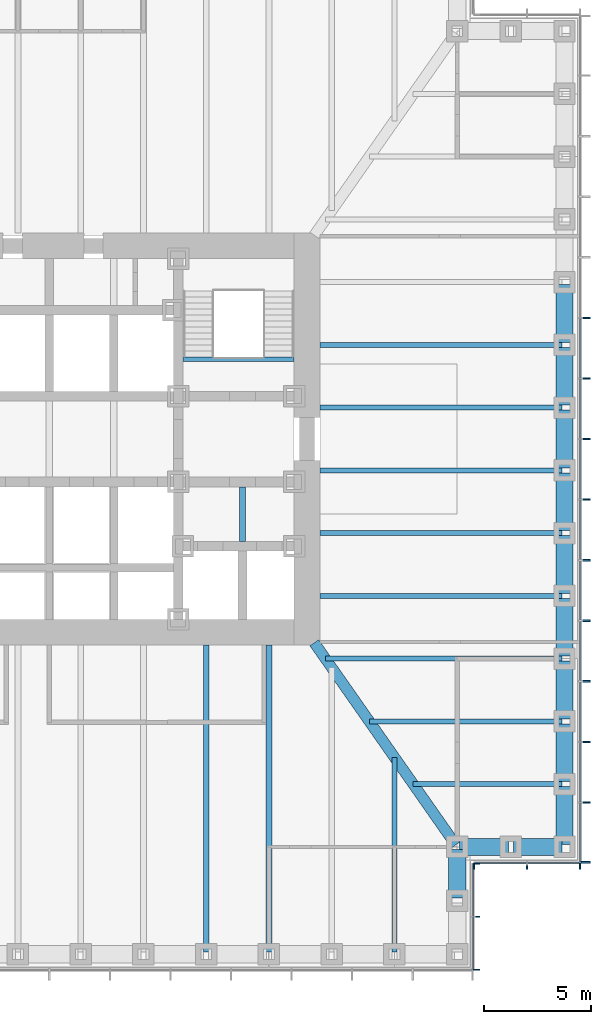
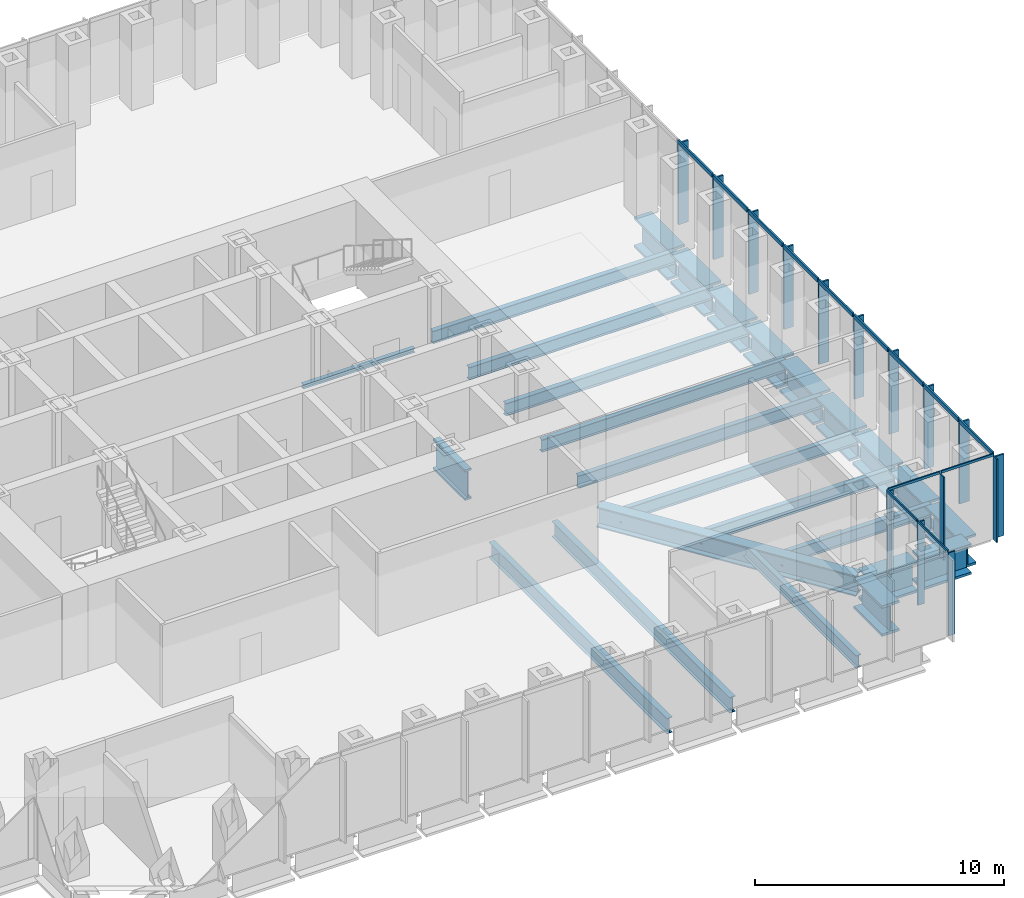
# One storey, part 4 of 16: 29 members, 26 beams, 3 elements without a shape of their own.
"""IFC4 building model written with IfcOpenShell, lengths in metres."""

from ifc_helpers import new_model, si_unit, direction, frame, origin, origin_2d, place, context, subcontext, project, spatial, rectangle, i_section, extrude, material, material_profile, profile_set, type_object, element, aggregate, save


model = new_model("IFC4")

# Units and contexts
model_context = context("Model", 3, precision=1e-05, world=origin(), true_north=direction((0.0, 1.0)))
body_context = subcontext(model_context, "Body", "Model", "MODEL_VIEW")
ifc_project = project(units=[si_unit("LENGTHUNIT", "METRE"), si_unit("AREAUNIT", "SQUARE_METRE"), si_unit("VOLUMEUNIT", "CUBIC_METRE"), si_unit("PLANEANGLEUNIT", "RADIAN"), si_unit("MASSUNIT", "GRAM", prefix="KILO")], contexts=[model_context])

# Site, building, storey
site_placement = place(None, origin())
site = spatial("IfcSite", under=ifc_project, at=site_placement, CompositionType="ELEMENT")
building_placement = place(site_placement, origin())
building = spatial("IfcBuilding", under=site, at=building_placement, Name="Daluyong Arena Tower", CompositionType="ELEMENT")
storey_placement = place(building_placement, frame((0.0, 0.0, 47.5)))
storey = spatial("IfcBuildingStorey", under=building, at=storey_placement, Name="L09", CompositionType="ELEMENT", Elevation=47.5)

# Curtain wall, members
ifc_material_1 = material(Name="Bronze anodised aluminium and glass", Category="aluminium")
curtain_wall_type_1 = type_object("IfcCurtainWallType", Name="Curtain wall CW1", PredefinedType="USERDEFINED", material=ifc_material_1)
curtain_wall_1_placement = place(storey_placement, origin())
curtain_wall_1 = element("IfcCurtainWall", 1, at=curtain_wall_1_placement, inside=storey, type_object=curtain_wall_type_1, Name="curtain wall L09 E", ObjectType="UNITISED CURTAIN WALL", PredefinedType="USERDEFINED")
ifc_material_2 = material(Name="Bronze anodised aluminium fin", Category="aluminium")
ifc_material_profile_1 = material_profile(ifc_material_2, rectangle(XDim=0.449951171875, YDim=0.080078125, at=origin_2d()))
ifc_profile_set_1 = profile_set([ifc_material_profile_1], Name="Bronze anodised aluminium fin")
member_type_1 = type_object("IfcMemberType", Name="CW1 bronze fin 450x80", PredefinedType="MULLION", material=ifc_profile_set_1)
member_1_placement = place(storey_placement, frame((80.97509765625, 60.2900390625, 0.0), z_axis=(0.0, 0.0, 1.0), x_axis=(-1.0, 0.0, 0.0)))
member_1 = element("IfcMember", 2, at=member_1_placement, type_object=member_type_1, Name="curtain wall L09 E fin 1", PredefinedType="MULLION", context=body_context, shape_type="SweptSolid", body=[
    extrude(rectangle(XDim=0.449951171875, YDim=0.080078125, at=origin_2d()), origin(), (0.0, 0.0, 1.0), 4.0),
])
member_2_placement = place(storey_placement, frame((80.97509765625, 63.071533203125, 0.0), z_axis=(0.0, 0.0, 1.0), x_axis=(-1.0, 0.0, 0.0)))
member_2 = element("IfcMember", 3, at=member_2_placement, type_object=member_type_1, Name="curtain wall L09 E fin 2", PredefinedType="MULLION", context=body_context, shape_type="SweptSolid", body=[
    extrude(rectangle(XDim=0.449951171875, YDim=0.080078125, at=origin_2d()), origin(), (0.0, 0.0, 1.0), 4.0),
])
member_3_placement = place(storey_placement, frame((80.97509765625, 65.892822265625, 0.0), z_axis=(0.0, 0.0, 1.0), x_axis=(-1.0, 0.0, 0.0)))
member_3 = element("IfcMember", 4, at=member_3_placement, type_object=member_type_1, Name="curtain wall L09 E fin 3", PredefinedType="MULLION", context=body_context, shape_type="SweptSolid", body=[
    extrude(rectangle(XDim=0.449951171875, YDim=0.080078125, at=origin_2d()), origin(), (0.0, 0.0, 1.0), 4.0),
])
member_4_placement = place(storey_placement, frame((80.97509765625, 68.71435546875, 0.0), z_axis=(0.0, 0.0, 1.0), x_axis=(-1.0, 0.0, 0.0)))
member_4 = element("IfcMember", 5, at=member_4_placement, type_object=member_type_1, Name="curtain wall L09 E fin 4", PredefinedType="MULLION", context=body_context, shape_type="SweptSolid", body=[
    extrude(rectangle(XDim=0.449951171875, YDim=0.080078125, at=origin_2d()), origin(), (0.0, 0.0, 1.0), 4.0),
])
member_5_placement = place(storey_placement, frame((80.97509765625, 71.53564453125, 0.0), z_axis=(0.0, 0.0, 1.0), x_axis=(-1.0, 0.0, 0.0)))
member_5 = element("IfcMember", 6, at=member_5_placement, type_object=member_type_1, Name="curtain wall L09 E fin 5", PredefinedType="MULLION", context=body_context, shape_type="SweptSolid", body=[
    extrude(rectangle(XDim=0.449951171875, YDim=0.080078125, at=origin_2d()), origin(), (0.0, 0.0, 1.0), 4.0),
])
member_6_placement = place(storey_placement, frame((80.97509765625, 74.357177734375, 0.0), z_axis=(0.0, 0.0, 1.0), x_axis=(-1.0, 0.0, 0.0)))
member_6 = element("IfcMember", 7, at=member_6_placement, type_object=member_type_1, Name="curtain wall L09 E fin 6", PredefinedType="MULLION", context=body_context, shape_type="SweptSolid", body=[
    extrude(rectangle(XDim=0.449951171875, YDim=0.080078125, at=origin_2d()), origin(), (0.0, 0.0, 1.0), 4.0),
])
member_7_placement = place(storey_placement, frame((80.97509765625, 77.178466796875, 0.0), z_axis=(0.0, 0.0, 1.0), x_axis=(-1.0, 0.0, 0.0)))
member_7 = element("IfcMember", 8, at=member_7_placement, type_object=member_type_1, Name="curtain wall L09 E fin 7", PredefinedType="MULLION", context=body_context, shape_type="SweptSolid", body=[
    extrude(rectangle(XDim=0.449951171875, YDim=0.080078125, at=origin_2d()), origin(), (0.0, 0.0, 1.0), 4.0),
])
member_8_placement = place(storey_placement, frame((80.97509765625, 80.0, 0.0), z_axis=(0.0, 0.0, 1.0), x_axis=(-1.0, 0.0, 0.0)))
member_8 = element("IfcMember", 9, at=member_8_placement, type_object=member_type_1, Name="curtain wall L09 E fin 8", PredefinedType="MULLION", context=body_context, shape_type="SweptSolid", body=[
    extrude(rectangle(XDim=0.449951171875, YDim=0.080078125, at=origin_2d()), origin(), (0.0, 0.0, 1.0), 4.0),
])
member_9_placement = place(storey_placement, frame((80.97509765625, 82.821533203125, 0.0), z_axis=(0.0, 0.0, 1.0), x_axis=(-1.0, 0.0, 0.0)))
member_9 = element("IfcMember", 10, at=member_9_placement, type_object=member_type_1, Name="curtain wall L09 E fin 9", PredefinedType="MULLION", context=body_context, shape_type="SweptSolid", body=[
    extrude(rectangle(XDim=0.449951171875, YDim=0.080078125, at=origin_2d()), origin(), (0.0, 0.0, 1.0), 4.0),
])
member_10_placement = place(storey_placement, frame((80.97509765625, 85.642822265625, 0.0), z_axis=(0.0, 0.0, 1.0), x_axis=(-1.0, 0.0, 0.0)))
member_10 = element("IfcMember", 11, at=member_10_placement, type_object=member_type_1, Name="curtain wall L09 E fin 10", PredefinedType="MULLION", context=body_context, shape_type="SweptSolid", body=[
    extrude(rectangle(XDim=0.449951171875, YDim=0.080078125, at=origin_2d()), origin(), (0.0, 0.0, 1.0), 4.0),
])
ifc_material_3 = material(Name="Bronze anodised aluminium", Category="aluminium")
ifc_material_profile_2 = material_profile(ifc_material_3, rectangle(XDim=0.080078125, YDim=0.199951171875, at=origin_2d()))
ifc_profile_set_2 = profile_set([ifc_material_profile_2], Name="Bronze anodised aluminium")
member_type_2 = type_object("IfcMemberType", Name="CW1 stack transom 200x80", PredefinedType="USERDEFINED", material=ifc_profile_set_2)
member_11_placement = place(storey_placement, frame((80.75, 60.330078125, 4.10009765625), z_axis=(0.0, 1.0, 0.0), x_axis=(-1.0, 0.0, 0.0)))
member_11 = element("IfcMember", 12, at=member_11_placement, type_object=member_type_2, Name="curtain wall L09 E transom 1", ObjectType="TRANSOM", PredefinedType="USERDEFINED", context=body_context, shape_type="SweptSolid", body=[
    extrude(rectangle(XDim=0.080078125, YDim=0.199951171875, at=origin_2d()), origin(), (0.0, 0.0, 1.0), 2.701416015625),
])
member_12_placement = place(storey_placement, frame((80.75, 63.111328125, 4.10009765625), z_axis=(0.0, 1.0, 0.0), x_axis=(-1.0, 0.0, 0.0)))
member_12 = element("IfcMember", 13, at=member_12_placement, type_object=member_type_2, Name="curtain wall L09 E transom 2", ObjectType="TRANSOM", PredefinedType="USERDEFINED", context=body_context, shape_type="SweptSolid", body=[
    extrude(rectangle(XDim=0.080078125, YDim=0.199951171875, at=origin_2d()), origin(), (0.0, 0.0, 1.0), 2.741455078125),
])
member_13_placement = place(storey_placement, frame((80.75, 65.932861328125, 4.10009765625), z_axis=(0.0, 1.0, 0.0), x_axis=(-1.0, 0.0, 0.0)))
member_13 = element("IfcMember", 14, at=member_13_placement, type_object=member_type_2, Name="curtain wall L09 E transom 3", ObjectType="TRANSOM", PredefinedType="USERDEFINED", context=body_context, shape_type="SweptSolid", body=[
    extrude(rectangle(XDim=0.080078125, YDim=0.199951171875, at=origin_2d()), origin(), (0.0, 0.0, 1.0), 2.741455078125),
])
member_14_placement = place(storey_placement, frame((80.75, 68.75439453125, 4.10009765625), z_axis=(0.0, 1.0, 0.0), x_axis=(-1.0, 0.0, 0.0)))
member_14 = element("IfcMember", 15, at=member_14_placement, type_object=member_type_2, Name="curtain wall L09 E transom 4", ObjectType="TRANSOM", PredefinedType="USERDEFINED", context=body_context, shape_type="SweptSolid", body=[
    extrude(rectangle(XDim=0.080078125, YDim=0.199951171875, at=origin_2d()), origin(), (0.0, 0.0, 1.0), 2.7412109375),
])
member_15_placement = place(storey_placement, frame((80.75, 71.57568359375, 4.10009765625), z_axis=(0.0, 1.0, 0.0), x_axis=(-1.0, 0.0, 0.0)))
member_15 = element("IfcMember", 16, at=member_15_placement, type_object=member_type_2, Name="curtain wall L09 E transom 5", ObjectType="TRANSOM", PredefinedType="USERDEFINED", context=body_context, shape_type="SweptSolid", body=[
    extrude(rectangle(XDim=0.080078125, YDim=0.199951171875, at=origin_2d()), origin(), (0.0, 0.0, 1.0), 2.741455078125),
])
member_16_placement = place(storey_placement, frame((80.75, 74.397216796875, 4.10009765625), z_axis=(0.0, 1.0, 0.0), x_axis=(-1.0, 0.0, 0.0)))
member_16 = element("IfcMember", 17, at=member_16_placement, type_object=member_type_2, Name="curtain wall L09 E transom 6", ObjectType="TRANSOM", PredefinedType="USERDEFINED", context=body_context, shape_type="SweptSolid", body=[
    extrude(rectangle(XDim=0.080078125, YDim=0.199951171875, at=origin_2d()), origin(), (0.0, 0.0, 1.0), 2.741455078125),
])
member_17_placement = place(storey_placement, frame((80.75, 77.218505859375, 4.10009765625), z_axis=(0.0, 1.0, 0.0), x_axis=(-1.0, 0.0, 0.0)))
member_17 = element("IfcMember", 18, at=member_17_placement, type_object=member_type_2, Name="curtain wall L09 E transom 7", ObjectType="TRANSOM", PredefinedType="USERDEFINED", context=body_context, shape_type="SweptSolid", body=[
    extrude(rectangle(XDim=0.080078125, YDim=0.199951171875, at=origin_2d()), origin(), (0.0, 0.0, 1.0), 2.741455078125),
])
member_18_placement = place(storey_placement, frame((80.75, 80.0400390625, 4.10009765625), z_axis=(0.0, 1.0, 0.0), x_axis=(-1.0, 0.0, 0.0)))
member_18 = element("IfcMember", 19, at=member_18_placement, type_object=member_type_2, Name="curtain wall L09 E transom 8", ObjectType="TRANSOM", PredefinedType="USERDEFINED", context=body_context, shape_type="SweptSolid", body=[
    extrude(rectangle(XDim=0.080078125, YDim=0.199951171875, at=origin_2d()), origin(), (0.0, 0.0, 1.0), 2.741455078125),
])
member_19_placement = place(storey_placement, frame((80.75, 82.861328125, 4.10009765625), z_axis=(0.0, 1.0, 0.0), x_axis=(-1.0, 0.0, 0.0)))
member_19 = element("IfcMember", 20, at=member_19_placement, type_object=member_type_2, Name="curtain wall L09 E transom 9", ObjectType="TRANSOM", PredefinedType="USERDEFINED", context=body_context, shape_type="SweptSolid", body=[
    extrude(rectangle(XDim=0.080078125, YDim=0.199951171875, at=origin_2d()), origin(), (0.0, 0.0, 1.0), 2.741455078125),
])
aggregate(curtain_wall_1, [member_1, member_2, member_3, member_4, member_5, member_6, member_7, member_8, member_9, member_10, member_11, member_12, member_13, member_14, member_15, member_16, member_17, member_18, member_19])

ifc_material_4 = material(Name="Bronze anodised aluminium and glass", Category="aluminium")
curtain_wall_type_2 = type_object("IfcCurtainWallType", Name="Curtain wall CW7", PredefinedType="USERDEFINED", material=ifc_material_4)
curtain_wall_2_placement = place(storey_placement, origin())
curtain_wall_2 = element("IfcCurtainWall", 21, at=curtain_wall_2_placement, inside=storey, type_object=curtain_wall_type_2, Name="curtain wall L09 SE-E", ObjectType="UNITISED CURTAIN WALL", PredefinedType="USERDEFINED")
ifc_material_5 = material(Name="Bronze anodised aluminium fin", Category="aluminium")
ifc_material_profile_3 = material_profile(ifc_material_5, rectangle(XDim=0.300048828125, YDim=0.06005859375, at=origin_2d()))
ifc_profile_set_3 = profile_set([ifc_material_profile_3], Name="Bronze anodised aluminium fin")
member_type_3 = type_object("IfcMemberType", Name="CW7 bronze fin 300x60", PredefinedType="MULLION", material=ifc_profile_set_3)
member_20_placement = place(storey_placement, frame((75.89990234375, 55.280029296875, 0.0), z_axis=(0.0, 0.0, 1.0), x_axis=(-1.0, 0.0, 0.0)))
member_20 = element("IfcMember", 22, at=member_20_placement, type_object=member_type_3, Name="curtain wall L09 SE-E fin 1", PredefinedType="MULLION", context=body_context, shape_type="SweptSolid", body=[
    extrude(rectangle(XDim=0.300048828125, YDim=0.06005859375, at=origin_2d()), origin(), (0.0, 0.0, 1.0), 4.080078125),
])
member_21_placement = place(storey_placement, frame((75.89990234375, 57.75, 0.0), z_axis=(0.0, 0.0, 1.0), x_axis=(-1.0, 0.0, 0.0)))
member_21 = element("IfcMember", 23, at=member_21_placement, type_object=member_type_3, Name="curtain wall L09 SE-E fin 2", PredefinedType="MULLION", context=body_context, shape_type="SweptSolid", body=[
    extrude(rectangle(XDim=0.300048828125, YDim=0.06005859375, at=origin_2d()), origin(), (0.0, 0.0, 1.0), 4.080078125),
])
member_22_placement = place(storey_placement, frame((75.89990234375, 60.219970703125, 0.0), z_axis=(0.0, 0.0, 1.0), x_axis=(-1.0, 0.0, 0.0)))
member_22 = element("IfcMember", 24, at=member_22_placement, type_object=member_type_3, Name="curtain wall L09 SE-E fin 3", PredefinedType="MULLION", context=body_context, shape_type="SweptSolid", body=[
    extrude(rectangle(XDim=0.300048828125, YDim=0.06005859375, at=origin_2d()), origin(), (0.0, 0.0, 1.0), 4.080078125),
])

curtain_wall_3_placement = place(storey_placement, origin())
curtain_wall_3 = element("IfcCurtainWall", 25, at=curtain_wall_3_placement, inside=storey, type_object=curtain_wall_type_2, Name="curtain wall L09 SE-S", ObjectType="UNITISED CURTAIN WALL", PredefinedType="USERDEFINED")
member_23_placement = place(storey_placement, frame((75.780029296875, 60.10009765625, 0.0), z_axis=(0.0, 0.0, 1.0), x_axis=(0.0, 1.0, 0.0)))
member_23 = element("IfcMember", 26, at=member_23_placement, type_object=member_type_3, Name="curtain wall L09 SE-S fin 1", PredefinedType="MULLION", context=body_context, shape_type="SweptSolid", body=[
    extrude(rectangle(XDim=0.300048828125, YDim=0.06005859375, at=origin_2d()), origin(), (0.0, 0.0, 1.0), 4.080078125),
])
member_24_placement = place(storey_placement, frame((78.25, 60.10009765625, 0.0), z_axis=(0.0, 0.0, 1.0), x_axis=(0.0, 1.0, 0.0)))
member_24 = element("IfcMember", 27, at=member_24_placement, type_object=member_type_3, Name="curtain wall L09 SE-S fin 2", PredefinedType="MULLION", context=body_context, shape_type="SweptSolid", body=[
    extrude(rectangle(XDim=0.300048828125, YDim=0.06005859375, at=origin_2d()), origin(), (0.0, 0.0, 1.0), 4.080078125),
])
member_25_placement = place(storey_placement, frame((80.719970703125, 60.10009765625, 0.0), z_axis=(0.0, 0.0, 1.0), x_axis=(0.0, 1.0, 0.0)))
member_25 = element("IfcMember", 28, at=member_25_placement, type_object=member_type_3, Name="curtain wall L09 SE-S fin 3", PredefinedType="MULLION", context=body_context, shape_type="SweptSolid", body=[
    extrude(rectangle(XDim=0.300048828125, YDim=0.06005859375, at=origin_2d()), origin(), (0.0, 0.0, 1.0), 4.080078125),
])

# Member
ifc_material_6 = material(Name="Bronze anodised aluminium", Category="aluminium")
ifc_material_profile_4 = material_profile(ifc_material_6, rectangle(XDim=0.06005859375, YDim=0.1201171875, at=origin_2d()))
ifc_profile_set_4 = profile_set([ifc_material_profile_4], Name="Bronze anodised aluminium")
member_type_4 = type_object("IfcMemberType", Name="CW7 stack transom 120x60", PredefinedType="USERDEFINED", material=ifc_profile_set_4)
member_26_placement = place(storey_placement, frame((75.75, 55.31005859375, 4.139892578125), z_axis=(0.0, 1.0, 0.0), x_axis=(-1.0, 0.0, 0.0)))
member_26 = element("IfcMember", 29, at=member_26_placement, type_object=member_type_4, Name="curtain wall L09 SE-E transom 1", ObjectType="TRANSOM", PredefinedType="USERDEFINED", context=body_context, shape_type="SweptSolid", body=[
    extrude(rectangle(XDim=0.06005859375, YDim=0.1201171875, at=origin_2d()), origin(), (0.0, 0.0, 1.0), 2.409912109375),
])

member_27_placement = place(storey_placement, frame((75.75, 57.780029296875, 4.139892578125), z_axis=(0.0, 1.0, 0.0), x_axis=(-1.0, 0.0, 0.0)))
member_27 = element("IfcMember", 30, at=member_27_placement, type_object=member_type_4, Name="curtain wall L09 SE-E transom 2", ObjectType="TRANSOM", PredefinedType="USERDEFINED", context=body_context, shape_type="SweptSolid", body=[
    extrude(rectangle(XDim=0.06005859375, YDim=0.1201171875, at=origin_2d()), origin(), (0.0, 0.0, 1.0), 2.409912109375),
])

aggregate(curtain_wall_2, [member_20, member_21, member_22, member_26, member_27])

member_28_placement = place(storey_placement, frame((75.81005859375, 60.25, 4.139892578125), z_axis=(1.0, 0.0, 0.0), x_axis=(0.0, 1.0, 0.0)))
member_28 = element("IfcMember", 31, at=member_28_placement, type_object=member_type_4, Name="curtain wall L09 SE-S transom 1", ObjectType="TRANSOM", PredefinedType="USERDEFINED", context=body_context, shape_type="SweptSolid", body=[
    extrude(rectangle(XDim=0.06005859375, YDim=0.1201171875, at=origin_2d()), origin(), (0.0, 0.0, 1.0), 2.409912109375),
])

member_29_placement = place(storey_placement, frame((78.280029296875, 60.25, 4.139892578125), z_axis=(1.0, 0.0, 0.0), x_axis=(0.0, 1.0, 0.0)))
member_29 = element("IfcMember", 32, at=member_29_placement, type_object=member_type_4, Name="curtain wall L09 SE-S transom 2", ObjectType="TRANSOM", PredefinedType="USERDEFINED", context=body_context, shape_type="SweptSolid", body=[
    extrude(rectangle(XDim=0.06005859375, YDim=0.1201171875, at=origin_2d()), origin(), (0.0, 0.0, 1.0), 2.409912109375),
])

aggregate(curtain_wall_3, [member_23, member_24, member_25, member_28, member_29])

# Beams
ifc_material_7 = material(Name="Steel ASTM A572 Grade 50", Category="steel")
ifc_material_profile_5 = material_profile(ifc_material_7, i_section(OverallWidth=0.5, OverallDepth=1.0, WebThickness=0.03, FlangeThickness=0.06, at=origin_2d()))
ifc_profile_set_5 = profile_set([ifc_material_profile_5], Name="Steel ASTM A572 Grade 50")
beam_type_1 = type_object("IfcBeamType", Name="Corner girder TB1000X500", PredefinedType="BEAM", material=ifc_profile_set_5)
beam_1_placement = place(storey_placement, frame((74.93408203125, 61.09423828125, -0.659912109375), z_axis=(-0.573466621875, 0.819228926244, 0.0), x_axis=(-0.819228926244, -0.573466621875, 0.0)))
element("IfcBeam", 33, at=beam_1_placement, inside=storey, type_object=beam_type_1, Name="corner girder DG2", PredefinedType="BEAM", context=body_context, shape_type="SweptSolid", body=[
    extrude(i_section(OverallWidth=0.5, OverallDepth=1.0, WebThickness=0.03, FlangeThickness=0.06, at=origin_2d()), origin(), (0.0, 0.0, 1.0), 11.49169921875),
])
ifc_material_8 = material(Name="Steel ASTM A992 Grade 50", Category="steel")
ifc_material_profile_6 = material_profile(ifc_material_8, i_section(OverallWidth=0.22900390625, OverallDepth=0.612060546875, WebThickness=0.011962890625, FlangeThickness=0.01953125, at=origin_2d()))
ifc_profile_set_6 = profile_set([ifc_material_profile_6], Name="Steel ASTM A992 Grade 50")
beam_type_2 = type_object("IfcBeamType", Name="Floor beam W24X84", PredefinedType="BEAM", material=ifc_profile_set_6)
beam_2_placement = place(storey_placement, frame((72.076904296875, 56.114990234375, -0.466064453125), z_axis=(0.0, 1.0, 0.0), x_axis=(-1.0, 0.0, 0.0)))
element("IfcBeam", 34, at=beam_2_placement, inside=storey, type_object=beam_type_2, Name="floor beam FB3", PredefinedType="BEAM", context=body_context, shape_type="SweptSolid", body=[
    extrude(i_section(OverallWidth=0.22900390625, OverallDepth=0.612060546875, WebThickness=0.011962890625, FlangeThickness=0.01953125, at=origin_2d()), origin(), (0.0, 0.0, 1.0), 9.060791015625),
])
beam_3_placement = place(storey_placement, frame((79.885009765625, 63.923095703125, -0.466064453125), z_axis=(-1.0, 0.0, 0.0), x_axis=(0.0, -1.0, 0.0)))
element("IfcBeam", 35, at=beam_3_placement, inside=storey, type_object=beam_type_2, Name="floor beam FB3", PredefinedType="BEAM", context=body_context, shape_type="SweptSolid", body=[
    extrude(i_section(OverallWidth=0.22900390625, OverallDepth=0.612060546875, WebThickness=0.011962890625, FlangeThickness=0.01953125, at=origin_2d()), origin(), (0.0, 0.0, 1.0), 6.93115234375),
])
beam_4_placement = place(storey_placement, frame((79.885009765625, 66.84619140625, -0.466064453125), z_axis=(-1.0, 0.0, 0.0), x_axis=(0.0, -1.0, 0.0)))
element("IfcBeam", 36, at=beam_4_placement, inside=storey, type_object=beam_type_2, Name="floor beam FB3", PredefinedType="BEAM", context=body_context, shape_type="SweptSolid", body=[
    extrude(i_section(OverallWidth=0.22900390625, OverallDepth=0.612060546875, WebThickness=0.011962890625, FlangeThickness=0.01953125, at=origin_2d()), origin(), (0.0, 0.0, 1.0), 8.977294921875),
])
beam_5_placement = place(storey_placement, frame((79.885009765625, 69.769287109375, -0.466064453125), z_axis=(-1.0, 0.0, 0.0), x_axis=(0.0, -1.0, 0.0)))
element("IfcBeam", 37, at=beam_5_placement, inside=storey, type_object=beam_type_2, Name="floor beam FB3", PredefinedType="BEAM", context=body_context, shape_type="SweptSolid", body=[
    extrude(i_section(OverallWidth=0.22900390625, OverallDepth=0.612060546875, WebThickness=0.011962890625, FlangeThickness=0.01953125, at=origin_2d()), origin(), (0.0, 0.0, 1.0), 11.0234375),
])
for number, where, z_axis, x_axis, name in (
    (38, (79.885009765625, 72.6923828125, -0.466064453125), (-1.0, 0.0, 0.0), (0.0, -1.0, 0.0), "floor beam FB3"),
    (39, (79.885009765625, 75.615478515625, -0.466064453125), (-1.0, 0.0, 0.0), (0.0, -1.0, 0.0), "floor beam FB3"),
    (40, (79.885009765625, 78.53857421875, -0.466064453125), (-1.0, 0.0, 0.0), (0.0, -1.0, 0.0), "floor beam FB3"),
    (41, (79.885009765625, 81.46142578125, -0.466064453125), (-1.0, 0.0, 0.0), (0.0, -1.0, 0.0), "floor beam FB3"),
    (42, (79.885009765625, 84.384521484375, -0.466064453125), (-1.0, 0.0, 0.0), (0.0, -1.0, 0.0), "floor beam FB3"),
):
    element("IfcBeam", number, at=place(storey_placement, frame(where, z_axis=z_axis, x_axis=x_axis)), inside=storey, type_object=beam_type_2, Name=name, PredefinedType="BEAM", context=body_context, shape_type="SweptSolid", body=[
        extrude(i_section(OverallWidth=0.22900390625, OverallDepth=0.612060546875, WebThickness=0.011962890625, FlangeThickness=0.01953125, at=origin_2d()), origin(), (0.0, 0.0, 1.0), 11.284912109375),
    ])
ifc_material_9 = material(Name="Steel ASTM A992 Grade 50", Category="steel")
ifc_material_profile_7 = material_profile(ifc_material_9, i_section(OverallWidth=0.2666015625, OverallDepth=0.761962890625, WebThickness=0.014404296875, FlangeThickness=0.021484375, at=origin_2d()))
ifc_profile_set_7 = profile_set([ifc_material_profile_7], Name="Steel ASTM A992 Grade 50")
beam_type_3 = type_object("IfcBeamType", Name="Floor beam W30X116", PredefinedType="BEAM", material=ifc_profile_set_7)
for number, where, z_axis, x_axis, name in (
    (43, (63.3076171875, 56.114990234375, -0.541015625), (0.0, 1.0, 0.0), (-1.0, 0.0, 0.0), "floor beam FB4"),
    (44, (66.230712890625, 56.114990234375, -0.541015625), (0.0, 1.0, 0.0), (-1.0, 0.0, 0.0), "floor beam FB4"),
):
    element("IfcBeam", number, at=place(storey_placement, frame(where, z_axis=z_axis, x_axis=x_axis)), inside=storey, type_object=beam_type_3, Name=name, PredefinedType="BEAM", context=body_context, shape_type="SweptSolid", body=[
        extrude(i_section(OverallWidth=0.2666015625, OverallDepth=0.761962890625, WebThickness=0.014404296875, FlangeThickness=0.021484375, at=origin_2d()), origin(), (0.0, 0.0, 1.0), 14.284912109375),
    ])
ifc_material_10 = material(Name="Steel ASTM A572 Grade 50", Category="steel")
ifc_material_profile_8 = material_profile(ifc_material_10, i_section(OverallWidth=0.300048828125, OverallDepth=1.5, WebThickness=0.04, FlangeThickness=0.1, at=origin_2d()))
ifc_profile_set_8 = profile_set([ifc_material_profile_8], Name="Steel ASTM A572 Grade 50")
beam_type_4 = type_object("IfcBeamType", Name="Lift divider beam PG1500X300", PredefinedType="BEAM", material=ifc_profile_set_8)
beam_6_placement = place(storey_placement, frame((65.0, 75.22509765625, -0.909912109375), z_axis=(0.0, 1.0, 0.0), x_axis=(-1.0, 0.0, 0.0)))
element("IfcBeam", 45, at=beam_6_placement, inside=storey, type_object=beam_type_4, Name="lift divider beam DB2", PredefinedType="BEAM", context=body_context, shape_type="SweptSolid", body=[
    extrude(i_section(OverallWidth=0.300048828125, OverallDepth=1.5, WebThickness=0.04, FlangeThickness=0.1, at=origin_2d()), origin(), (0.0, 0.0, 1.0), 2.5498046875),
])
ifc_material_11 = material(Name="Steel ASTM A588 Grade 50", Category="steel")
ifc_material_profile_9 = material_profile(ifc_material_11, i_section(OverallWidth=0.800048828125, OverallDepth=1.5, WebThickness=0.05, FlangeThickness=0.12, at=origin_2d()))
ifc_profile_set_9 = profile_set([ifc_material_profile_9], Name="Steel ASTM A588 Grade 50")
beam_type_5 = type_object("IfcBeamType", Name="Spandrel Z1 PG1500X800", PredefinedType="SPANDREL", material=ifc_profile_set_9)
for number, where, z_axis, x_axis, name in (
    (46, (75.0, 58.614990234375, -0.909912109375), (0.0, 1.0, 0.0), (-1.0, 0.0, 0.0), "spandrel z1 SB3"),
    (47, (75.114990234375, 61.0, -0.909912109375), (1.0, 0.0, 0.0), (0.0, 1.0, 0.0), "spandrel z1 SB3"),
    (48, (77.614990234375, 61.0, -0.909912109375), (1.0, 0.0, 0.0), (0.0, 1.0, 0.0), "spandrel z1 SB3"),
):
    element("IfcBeam", number, at=place(storey_placement, frame(where, z_axis=z_axis, x_axis=x_axis)), inside=storey, type_object=beam_type_5, Name=name, PredefinedType="SPANDREL", context=body_context, shape_type="SweptSolid", body=[
        extrude(i_section(OverallWidth=0.800048828125, OverallDepth=1.5, WebThickness=0.05, FlangeThickness=0.12, at=origin_2d()), origin(), (0.0, 0.0, 1.0), 2.27001953125),
    ])
for number, where, z_axis, x_axis, name in (
    (49, (80.0, 61.114990234375, -0.909912109375), (0.0, 1.0, 0.0), (-1.0, 0.0, 0.0), "spandrel z1 SB3"),
    (50, (80.0, 64.0380859375, -0.909912109375), (0.0, 1.0, 0.0), (-1.0, 0.0, 0.0), "spandrel z1 SB3"),
    (51, (80.0, 66.961181640625, -0.909912109375), (0.0, 1.0, 0.0), (-1.0, 0.0, 0.0), "spandrel z1 SB3"),
    (52, (80.0, 69.88427734375, -0.909912109375), (0.0, 1.0, 0.0), (-1.0, 0.0, 0.0), "spandrel z1 SB3"),
    (53, (80.0, 72.807373046875, -0.909912109375), (0.0, 1.0, 0.0), (-1.0, 0.0, 0.0), "spandrel z1 SB3"),
    (54, (80.0, 75.73046875, -0.909912109375), (0.0, 1.0, 0.0), (-1.0, 0.0, 0.0), "spandrel z1 SB3"),
):
    element("IfcBeam", number, at=place(storey_placement, frame(where, z_axis=z_axis, x_axis=x_axis)), inside=storey, type_object=beam_type_5, Name=name, PredefinedType="SPANDREL", context=body_context, shape_type="SweptSolid", body=[
        extrude(i_section(OverallWidth=0.800048828125, OverallDepth=1.5, WebThickness=0.05, FlangeThickness=0.12, at=origin_2d()), origin(), (0.0, 0.0, 1.0), 2.693115234375),
    ])
beam_7_placement = place(storey_placement, frame((80.0, 78.653564453125, -0.909912109375), z_axis=(0.0, 1.0, 0.0), x_axis=(-1.0, 0.0, 0.0)))
element("IfcBeam", 55, at=beam_7_placement, inside=storey, type_object=beam_type_5, Name="spandrel z1 SB3", PredefinedType="SPANDREL", context=body_context, shape_type="SweptSolid", body=[
    extrude(i_section(OverallWidth=0.800048828125, OverallDepth=1.5, WebThickness=0.05, FlangeThickness=0.12, at=origin_2d()), origin(), (0.0, 0.0, 1.0), 2.69287109375),
])
for number, where, z_axis, x_axis, name in (
    (56, (80.0, 81.576416015625, -0.909912109375), (0.0, 1.0, 0.0), (-1.0, 0.0, 0.0), "spandrel z1 SB3"),
    (57, (80.0, 84.49951171875, -0.909912109375), (0.0, 1.0, 0.0), (-1.0, 0.0, 0.0), "spandrel z1 SB3"),
):
    element("IfcBeam", number, at=place(storey_placement, frame(where, z_axis=z_axis, x_axis=x_axis)), inside=storey, type_object=beam_type_5, Name=name, PredefinedType="SPANDREL", context=body_context, shape_type="SweptSolid", body=[
        extrude(i_section(OverallWidth=0.800048828125, OverallDepth=1.5, WebThickness=0.05, FlangeThickness=0.12, at=origin_2d()), origin(), (0.0, 0.0, 1.0), 2.693115234375),
    ])
ifc_material_12 = material(Name="Steel ASTM A992 Grade 50", Category="steel")
ifc_material_profile_10 = material_profile(ifc_material_12, i_section(OverallWidth=0.203125, OverallDepth=0.203125, WebThickness=0.00732421875, FlangeThickness=0.010986328125, at=origin_2d()))
ifc_profile_set_10 = profile_set([ifc_material_profile_10], Name="Steel ASTM A992 Grade 50")
beam_type_6 = type_object("IfcBeamType", Name="Stair landing beam W8X31", PredefinedType="BEAM", material=ifc_profile_set_10)
beam_8_placement = place(storey_placement, frame((62.22509765625, 83.723388671875, -0.26171875), z_axis=(1.0, 0.0, 0.0), x_axis=(0.0, 1.0, 0.0)))
element("IfcBeam", 58, at=beam_8_placement, inside=storey, type_object=beam_type_6, Name="exit stair B landing beam", PredefinedType="BEAM", context=body_context, shape_type="SweptSolid", body=[
    extrude(i_section(OverallWidth=0.203125, OverallDepth=0.203125, WebThickness=0.00732421875, FlangeThickness=0.010986328125, at=origin_2d()), origin(), (0.0, 0.0, 1.0), 5.1748046875),
])

save(model, "model.ifc")
